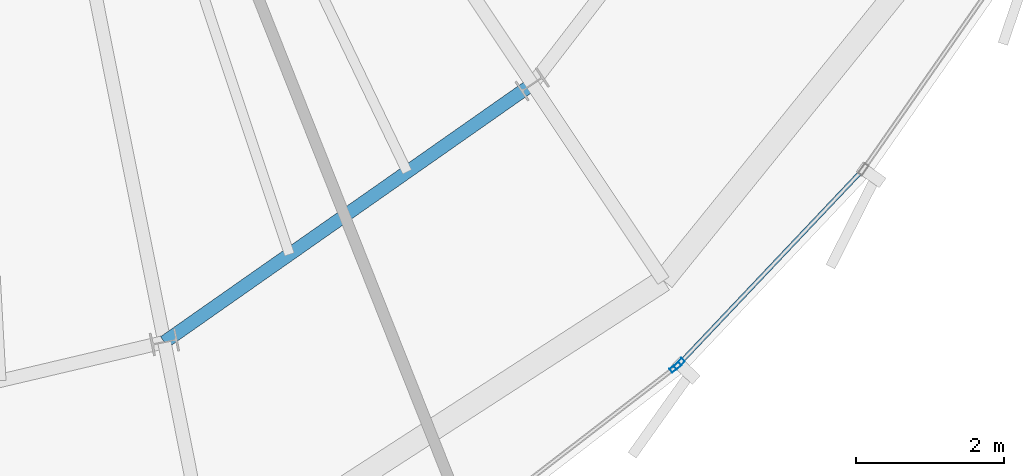
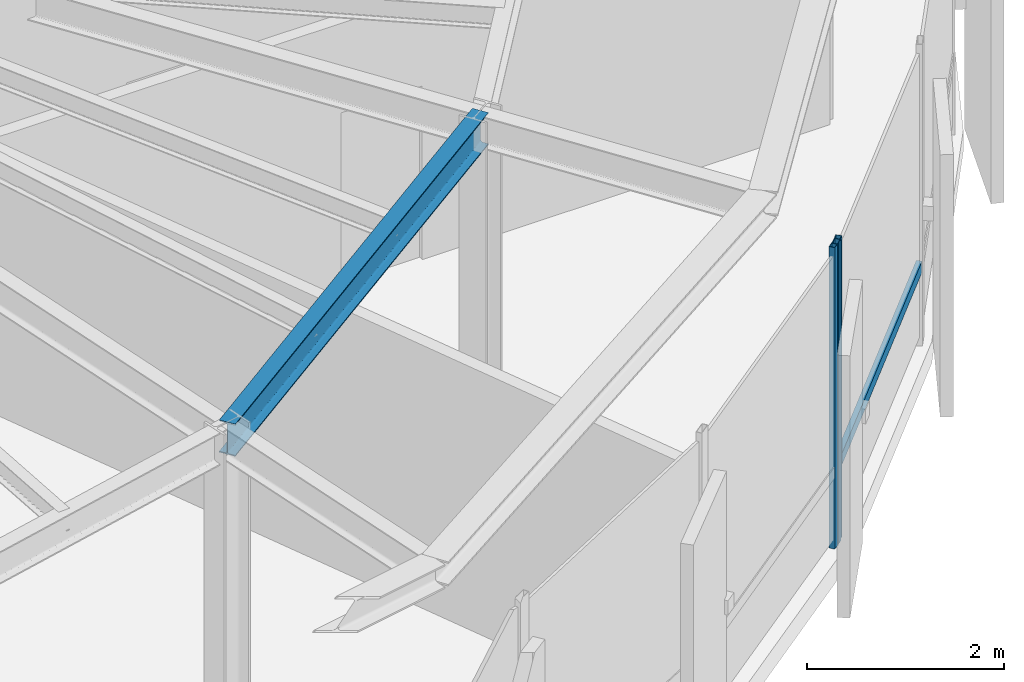
# One storey, part 7 of 25: 3 members, 1 beam, 2 elements without a shape of their own.
"""IFC4 building model written with IfcOpenShell, lengths in metres."""

from ifc_helpers import new_model, si_unit, direction, frame, origin, origin_2d, place, context, subcontext, project, spatial, hollow_rectangle, i_section, extrude, source, transform, mapped, material, layer, layer_set, material_profile, profile_set, type_object, element, aggregate, save


model = new_model("IFC4")

# Units and contexts
model_context = context("Model", 3, precision=1e-05, world=origin(), true_north=direction((0.0, 1.0)))
body_context = subcontext(model_context, "Body", "Model", "MODEL_VIEW")
ifc_project = project(units=[si_unit("LENGTHUNIT", "METRE"), si_unit("AREAUNIT", "SQUARE_METRE"), si_unit("VOLUMEUNIT", "CUBIC_METRE"), si_unit("PLANEANGLEUNIT", "RADIAN"), si_unit("MASSUNIT", "GRAM", prefix="KILO"), si_unit("THERMODYNAMICTEMPERATUREUNIT", "KELVIN")], contexts=[model_context])

# Site, building, storey
site_placement = place(None, origin())
site = spatial("IfcSite", under=ifc_project, at=site_placement, CompositionType="ELEMENT")
building_placement = place(site_placement, origin())
building = spatial("IfcBuilding", under=site, at=building_placement, Name="Kethvar Cultural Tower", CompositionType="ELEMENT")
storey_placement = place(building_placement, frame((0.0, 0.0, 304.300048828125)))
storey = spatial("IfcBuildingStorey", under=building, at=storey_placement, Name="L81", CompositionType="ELEMENT", Elevation=304.300048828125)

# Beam
ifc_material_1 = material(Name="Steel S355J2", Category="steel")
ifc_material_profile_1 = material_profile(ifc_material_1, i_section(OverallWidth=0.179931640625, OverallDepth=0.39990234375, WebThickness=0.008544921875, FlangeThickness=0.013427734375, FilletRadius=0.02099609375, at=origin_2d()), Name="Steel S355J2 — IPE400")
ifc_profile_set_1 = profile_set([ifc_material_profile_1], Name="Steel S355J2 — IPE400")
beam_type = type_object("IfcBeamType", Name="BM-IPE400", PredefinedType="BEAM", material=ifc_profile_set_1)
shared_shape_1 = source(origin(), body_context, "Body", "SweptSolid", [
    extrude(i_section(OverallWidth=0.179931640625, OverallDepth=0.39990234375, WebThickness=0.008544921875, FlangeThickness=0.013427734375, FilletRadius=0.02099609375, at=origin_2d()), origin(), (0.0, 0.0, 1.0), 6.0859375),
])
beam_placement = place(storey_placement, frame((49.901611328125, 12.206787109375, 3.532958984375), z_axis=(0.818843498091, 0.57401683393, 0.0), x_axis=(-0.57401683393, 0.818843498091, 0.0)))
element("IfcBeam", 1, at=beam_placement, inside=storey, type_object=beam_type, Name="L81 Column Ring Tie Beam CR-13", PredefinedType="BEAM", context=body_context, shape_type="MappedRepresentation", body=[
    mapped(shared_shape_1, transform((0.0, 0.0, 0.0), scale=1.0)),
])

# Curtain wall, member
ifc_material_2 = material(Name="Aluminium 6063-T6", Category="aluminium")
ifc_layer = layer(ifc_material_2, 0.179931640625, Name="Aluminium 6063-T6", Category="aluminium")
ifc_layer_set = layer_set([ifc_layer], Name="Aluminium 6063-T6 (180 mm)")
curtain_wall_type = type_object("IfcCurtainWallType", Name="CW-SYS-06-CROWN", PredefinedType="NOTDEFINED", material=ifc_layer_set)
curtain_wall_1_placement = place(storey_placement, origin())
curtain_wall_1 = element("IfcCurtainWall", 2, at=curtain_wall_1_placement, inside=storey, type_object=curtain_wall_type, Name="L81 Curtain Wall Run 04", PredefinedType="NOTDEFINED")
ifc_material_profile_2 = material_profile(ifc_material_2, hollow_rectangle(XDim=0.06494140625, YDim=0.159912109375, WallThickness=0.0048828125, at=origin_2d()), Name="Aluminium 6063-T6 — RHS160x65x5")
ifc_profile_set_2 = profile_set([ifc_material_profile_2], Name="Aluminium 6063-T6 — RHS160x65x5")
member_type_1 = type_object("IfcMemberType", Name="CW-SYS-06-CROWN-MUL", PredefinedType="MULLION", material=ifc_profile_set_2)
shared_shape_2 = source(origin(), body_context, "Body", "SweptSolid", [
    extrude(hollow_rectangle(XDim=0.06494140625, YDim=0.159912109375, WallThickness=0.0048828125, at=origin_2d()), origin(), (0.0, 0.0, 1.0), 3.73486328125),
])
member_1_placement = place(storey_placement, frame((56.82666015625, 11.866943359375, 0.0), z_axis=(0.0, 0.0, 1.0), x_axis=(-0.610753418696, 0.79182085193, 0.0)))
member_1 = element("IfcMember", 3, at=member_1_placement, type_object=member_type_1, Name="CW-L81-R04 Mullion 7", PredefinedType="MULLION", context=body_context, shape_type="MappedRepresentation", body=[
    mapped(shared_shape_2, transform((0.0, 0.0, 0.0), scale=1.0)),
])
aggregate(curtain_wall_1, [member_1])

# Curtain wall, members
curtain_wall_2_placement = place(storey_placement, origin())
curtain_wall_2 = element("IfcCurtainWall", 4, at=curtain_wall_2_placement, inside=storey, type_object=curtain_wall_type, Name="L81 Curtain Wall Run 05", PredefinedType="NOTDEFINED")
member_2_placement = place(storey_placement, frame((56.875244140625, 11.910888671875, 0.0), z_axis=(0.0, 0.0, 1.0), x_axis=(-0.726322791448, 0.687353768174, 0.0)))
member_2 = element("IfcMember", 5, at=member_2_placement, type_object=member_type_1, Name="CW-L81-R05 Mullion 1", PredefinedType="MULLION", context=body_context, shape_type="MappedRepresentation", body=[
    mapped(shared_shape_2, transform((0.0, 0.0, 0.0), scale=1.0)),
])
ifc_material_profile_3 = material_profile(ifc_material_2, hollow_rectangle(XDim=0.06005859375, YDim=0.139892578125, WallThickness=0.0048828125, at=origin_2d()), Name="Aluminium 6063-T6 — RHS140x60x5")
ifc_profile_set_3 = profile_set([ifc_material_profile_3], Name="Aluminium 6063-T6 — RHS140x60x5")
member_type_2 = type_object("IfcMemberType", Name="CW-SYS-06-CROWN-TRN", PredefinedType="USERDEFINED", material=ifc_profile_set_3)
shared_shape_3 = source(origin(), body_context, "Body", "SweptSolid", [
    extrude(hollow_rectangle(XDim=0.06005859375, YDim=0.139892578125, WallThickness=0.0048828125, at=origin_2d()), origin(), (0.0, 0.0, 1.0), 3.595458984375),
])
member_3_placement = place(storey_placement, frame((56.87841796875, 11.914306640625, 0.949951171875), z_axis=(0.68738482482, 0.72629339981, 0.0), x_axis=(-0.72629339981, 0.68738482482, 0.0)))
member_3 = element("IfcMember", 6, at=member_3_placement, type_object=member_type_2, Name="CW-L81-R05 Transom 1", ObjectType="TRANSOM", PredefinedType="USERDEFINED", context=body_context, shape_type="MappedRepresentation", body=[
    mapped(shared_shape_3, transform((0.0, 0.0, 0.0), scale=1.0)),
])
aggregate(curtain_wall_2, [member_2, member_3])

save(model, "model.ifc")
